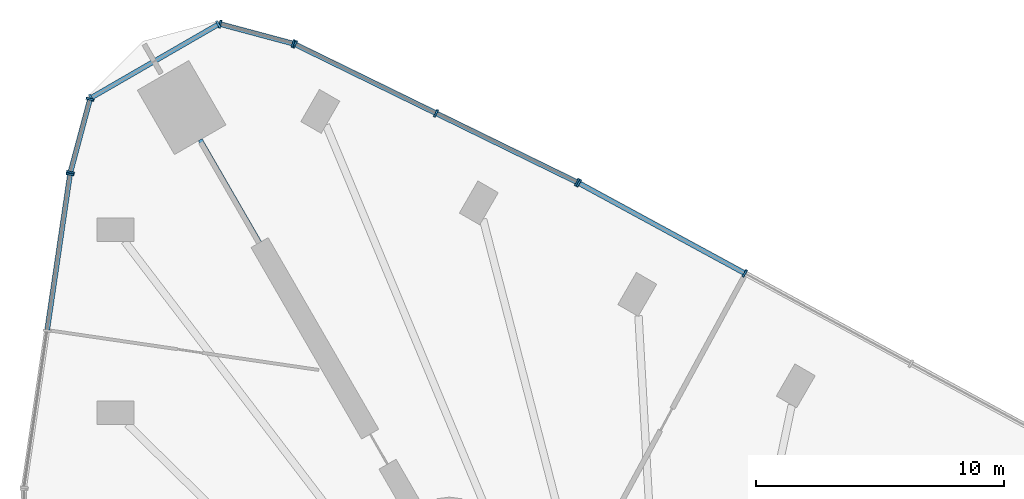
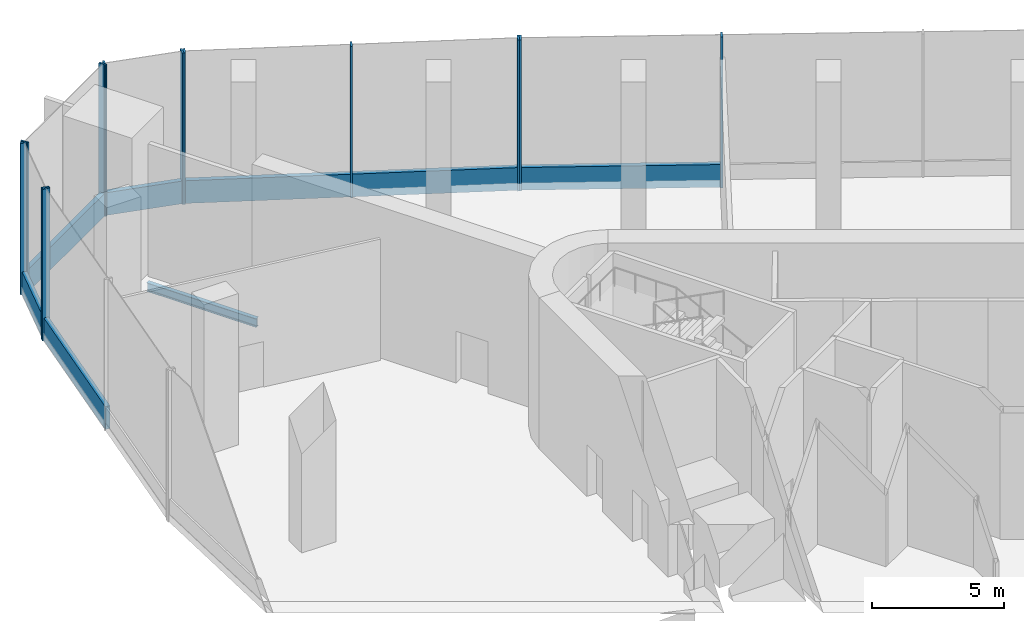
# One storey, part 6 of 15: 19 members, 1 beam, 6 elements without a shape of their own.
"""IFC4 building model written with IfcOpenShell, lengths in metres."""

from ifc_helpers import new_model, si_unit, direction, frame, origin, origin_2d, place, context, subcontext, project, spatial, rectangle, i_section, extrude, material, material_profile, profile_set, type_object, element, aggregate, save


model = new_model("IFC4")

# Units and contexts
model_context = context("Model", 3, precision=1e-05, world=origin(), true_north=direction((0.0, 1.0)))
body_context = subcontext(model_context, "Body", "Model", "MODEL_VIEW")
ifc_project = project(units=[si_unit("LENGTHUNIT", "METRE"), si_unit("AREAUNIT", "SQUARE_METRE"), si_unit("VOLUMEUNIT", "CUBIC_METRE"), si_unit("PLANEANGLEUNIT", "RADIAN"), si_unit("MASSUNIT", "GRAM", prefix="KILO")], contexts=[model_context])

# Site, building, storey
site_placement = place(None, origin())
site = spatial("IfcSite", under=ifc_project, at=site_placement, CompositionType="ELEMENT")
building_placement = place(site_placement, origin())
building = spatial("IfcBuilding", under=site, at=building_placement, Name="Tanit Gate Tower", CompositionType="ELEMENT")
storey_placement = place(building_placement, frame((0.0, 0.0, 156.199951171875)))
storey = spatial("IfcBuildingStorey", under=building, at=storey_placement, Name="L34", CompositionType="ELEMENT", Elevation=156.199951171875)

# Curtain wall, members
ifc_material_1 = material(Name="Aluminium bronze anodised and glass", Category="aluminium")
curtain_wall_type = type_object("IfcCurtainWallType", Name="Curtain wall sky lobby", PredefinedType="NOTDEFINED", material=ifc_material_1)
curtain_wall_1_placement = place(storey_placement, origin())
curtain_wall_1 = element("IfcCurtainWall", 1, at=curtain_wall_1_placement, inside=storey, type_object=curtain_wall_type, Name="Curtain wall L34 NE2", PredefinedType="NOTDEFINED")
ifc_material_2 = material(Name="Aluminium bronze anodised", Category="aluminium")
ifc_material_profile_1 = material_profile(ifc_material_2, rectangle(XDim=0.320068359375, YDim=0.080078125, at=origin_2d()), Name="80x320 bronze mullion")
ifc_profile_set_1 = profile_set([ifc_material_profile_1], Name="Aluminium bronze anodised")
member_type_1 = type_object("IfcMemberType", Name="Mullion 80x320 sky lobby", PredefinedType="MULLION", material=ifc_profile_set_1)
member_1_placement = place(storey_placement, frame((2.833984375, 27.7978515625, -0.349853515625), z_axis=(0.0, 0.0, 1.0), x_axis=(-0.477381131015, -0.87869633876, 0.0)))
member_1 = element("IfcMember", 2, at=member_1_placement, type_object=member_type_1, Name="Mullion L34 NE2.5", PredefinedType="MULLION", context=body_context, shape_type="SweptSolid", body=[
    extrude(rectangle(XDim=0.320068359375, YDim=0.080078125, at=origin_2d()), origin(), (0.0, 0.0, 1.0), 7.0),
])
member_2_placement = place(storey_placement, frame((-3.8720703125, 31.441162109375, -0.349853515625), z_axis=(0.0, 0.0, 1.0), x_axis=(-0.477381131015, -0.87869633876, 0.0)))
member_2 = element("IfcMember", 3, at=member_2_placement, type_object=member_type_1, Name="Mullion L34 NE2.6", PredefinedType="MULLION", context=body_context, shape_type="SweptSolid", body=[
    extrude(rectangle(XDim=0.320068359375, YDim=0.080078125, at=origin_2d()), origin(), (0.0, 0.0, 1.0), 7.0),
])

curtain_wall_2_placement = place(storey_placement, origin())
curtain_wall_2 = element("IfcCurtainWall", 4, at=curtain_wall_2_placement, inside=storey, type_object=curtain_wall_type, Name="Curtain wall L34 NE3", PredefinedType="NOTDEFINED")
member_3_placement = place(storey_placement, frame((-3.943115234375, 31.477783203125, -0.349853515625), z_axis=(0.0, 0.0, 1.0), x_axis=(-0.439222108006, -0.898378505886, 0.0)))
member_3 = element("IfcMember", 5, at=member_3_placement, type_object=member_type_1, Name="Mullion L34 NE3.1", PredefinedType="MULLION", context=body_context, shape_type="SweptSolid", body=[
    extrude(rectangle(XDim=0.320068359375, YDim=0.080078125, at=origin_2d()), origin(), (0.0, 0.0, 1.0), 7.0),
])
member_4_placement = place(storey_placement, frame((-9.639892578125, 34.262939453125, -0.349853515625), z_axis=(0.0, 0.0, 1.0), x_axis=(-0.439222108006, -0.898378505886, 0.0)))
member_4 = element("IfcMember", 6, at=member_4_placement, type_object=member_type_1, Name="Mullion L34 NE3.2", PredefinedType="MULLION", context=body_context, shape_type="SweptSolid", body=[
    extrude(rectangle(XDim=0.320068359375, YDim=0.080078125, at=origin_2d()), origin(), (0.0, 0.0, 1.0), 7.0),
])
member_5_placement = place(storey_placement, frame((-15.336669921875, 37.048095703125, -0.349853515625), z_axis=(0.0, 0.0, 1.0), x_axis=(-0.439222108006, -0.898378505886, 0.0)))
member_5 = element("IfcMember", 7, at=member_5_placement, type_object=member_type_1, Name="Mullion L34 NE3.3", PredefinedType="MULLION", context=body_context, shape_type="SweptSolid", body=[
    extrude(rectangle(XDim=0.320068359375, YDim=0.080078125, at=origin_2d()), origin(), (0.0, 0.0, 1.0), 7.0),
])

curtain_wall_3_placement = place(storey_placement, origin())
curtain_wall_3 = element("IfcCurtainWall", 8, at=curtain_wall_3_placement, inside=storey, type_object=curtain_wall_type, Name="Curtain wall L34 NW.arc1", PredefinedType="NOTDEFINED")
member_6_placement = place(storey_placement, frame((-15.411376953125, 37.076171875, -0.349853515625), z_axis=(0.0, 0.0, 1.0), x_axis=(-0.258819045103, -0.965925826289, 0.0)))
member_6 = element("IfcMember", 9, at=member_6_placement, type_object=member_type_1, Name="Mullion L34 NW.arc1.1", PredefinedType="MULLION", context=body_context, shape_type="SweptSolid", body=[
    extrude(rectangle(XDim=0.320068359375, YDim=0.080078125, at=origin_2d()), origin(), (0.0, 0.0, 1.0), 7.0),
])
member_7_placement = place(storey_placement, frame((-18.359130859375, 37.865966796875, -0.349853515625), z_axis=(0.0, 0.0, 1.0), x_axis=(-0.258819045103, -0.965925826289, 0.0)))
member_7 = element("IfcMember", 10, at=member_7_placement, type_object=member_type_1, Name="Mullion L34 NW.arc1.2", PredefinedType="MULLION", context=body_context, shape_type="SweptSolid", body=[
    extrude(rectangle(XDim=0.320068359375, YDim=0.080078125, at=origin_2d()), origin(), (0.0, 0.0, 1.0), 7.0),
])

curtain_wall_4_placement = place(storey_placement, origin())
curtain_wall_4 = element("IfcCurtainWall", 11, at=curtain_wall_4_placement, inside=storey, type_object=curtain_wall_type, Name="Curtain wall L34 NW.arc2", PredefinedType="NOTDEFINED")
member_8_placement = place(storey_placement, frame((-18.432373046875, 37.856201171875, -0.349853515625), z_axis=(0.0, 0.0, 1.0), x_axis=(0.5, -0.866025403784, 0.0)))
member_8 = element("IfcMember", 12, at=member_8_placement, type_object=member_type_1, Name="Mullion L34 NW.arc2.1", PredefinedType="MULLION", context=body_context, shape_type="SweptSolid", body=[
    extrude(rectangle(XDim=0.320068359375, YDim=0.080078125, at=origin_2d()), origin(), (0.0, 0.0, 1.0), 7.0),
])
member_9_placement = place(storey_placement, frame((-23.568359375, 34.89111328125, -0.349853515625), z_axis=(0.0, 0.0, 1.0), x_axis=(0.5, -0.866025403784, 0.0)))
member_9 = element("IfcMember", 13, at=member_9_placement, type_object=member_type_1, Name="Mullion L34 NW.arc2.2", PredefinedType="MULLION", context=body_context, shape_type="SweptSolid", body=[
    extrude(rectangle(XDim=0.320068359375, YDim=0.080078125, at=origin_2d()), origin(), (0.0, 0.0, 1.0), 7.0),
])

curtain_wall_5_placement = place(storey_placement, origin())
curtain_wall_5 = element("IfcCurtainWall", 14, at=curtain_wall_5_placement, inside=storey, type_object=curtain_wall_type, Name="Curtain wall L34 NW.arc3", PredefinedType="NOTDEFINED")
member_10_placement = place(storey_placement, frame((-23.61328125, 34.832275390625, -0.349853515625), z_axis=(0.0, 0.0, 1.0), x_axis=(0.965925826289, -0.258819045103, 0.0)))
member_10 = element("IfcMember", 15, at=member_10_placement, type_object=member_type_1, Name="Mullion L34 NW.arc3.1", PredefinedType="MULLION", context=body_context, shape_type="SweptSolid", body=[
    extrude(rectangle(XDim=0.320068359375, YDim=0.080078125, at=origin_2d()), origin(), (0.0, 0.0, 1.0), 7.0),
])
member_11_placement = place(storey_placement, frame((-24.404296875, 31.880126953125, -0.349853515625), z_axis=(0.0, 0.0, 1.0), x_axis=(0.965925826289, -0.258819045103, 0.0)))
member_11 = element("IfcMember", 16, at=member_11_placement, type_object=member_type_1, Name="Mullion L34 NW.arc3.2", PredefinedType="MULLION", context=body_context, shape_type="SweptSolid", body=[
    extrude(rectangle(XDim=0.320068359375, YDim=0.080078125, at=origin_2d()), origin(), (0.0, 0.0, 1.0), 7.0),
])

# Curtain wall, member
curtain_wall_6_placement = place(storey_placement, origin())
curtain_wall_6 = element("IfcCurtainWall", 17, at=curtain_wall_6_placement, inside=storey, type_object=curtain_wall_type, Name="Curtain wall L34 W1", PredefinedType="NOTDEFINED")
member_12_placement = place(storey_placement, frame((-24.42041015625, 31.802001953125, -0.349853515625), z_axis=(0.0, 0.0, 1.0), x_axis=(0.989399755479, -0.145217505343, 0.0)))
member_12 = element("IfcMember", 18, at=member_12_placement, type_object=member_type_1, Name="Mullion L34 W1.1", PredefinedType="MULLION", context=body_context, shape_type="SweptSolid", body=[
    extrude(rectangle(XDim=0.320068359375, YDim=0.080078125, at=origin_2d()), origin(), (0.0, 0.0, 1.0), 7.0),
])

# Beam
ifc_material_3 = material(Name="Steel S355", Category="steel")
ifc_material_profile_2 = material_profile(ifc_material_3, i_section(OverallWidth=0.179931640625, OverallDepth=0.39990234375, WebThickness=0.008544921875, FlangeThickness=0.013427734375, FilletRadius=0.02099609375, at=origin_2d()), Name="IPE 400")
ifc_profile_set_2 = profile_set([ifc_material_profile_2], Name="Steel S355")
beam_type = type_object("IfcBeamType", Name="RADIAL GIRDER IPE 400 S355", PredefinedType="BEAM", material=ifc_profile_set_2)
beam_placement = place(storey_placement, frame((-19.1650390625, 33.19482421875, -0.550048828125), z_axis=(0.499998569178, -0.866026229868, 0.0), x_axis=(0.866026229868, 0.499998569178, 0.0)))
element("IfcBeam", 19, at=beam_placement, inside=storey, type_object=beam_type, Name="RADIAL GIRDER", PredefinedType="BEAM", context=body_context, shape_type="SweptSolid", body=[
    extrude(i_section(OverallWidth=0.179931640625, OverallDepth=0.39990234375, WebThickness=0.008544921875, FlangeThickness=0.013427734375, FilletRadius=0.02099609375, at=origin_2d()), origin(), (0.0, 0.0, 1.0), 4.79638671875),
])

# Member
ifc_material_4 = material(Name="Aluminium bronze anodised", Category="aluminium")
ifc_material_profile_3 = material_profile(ifc_material_4, rectangle(XDim=0.199951171875, YDim=1.050048828125, at=origin_2d()), Name="200x1050 bronze transom")
ifc_profile_set_3 = profile_set([ifc_material_profile_3], Name="Aluminium bronze anodised")
member_type_2 = type_object("IfcMemberType", Name="Transom 200x1050 sky lobby", PredefinedType="USERDEFINED", material=ifc_profile_set_3)
member_13_placement = place(storey_placement, frame((2.798828125, 27.81689453125, 0.175048828125), z_axis=(-0.878702342272, 0.477370080426, 0.0), x_axis=(-0.477370080426, -0.878702342272, 0.0)))
member_13 = element("IfcMember", 20, at=member_13_placement, type_object=member_type_2, Name="Transom L34 NE2.5", ObjectType="TRANSOM", PredefinedType="USERDEFINED", context=body_context, shape_type="SweptSolid", body=[
    extrude(rectangle(XDim=0.199951171875, YDim=1.050048828125, at=origin_2d()), origin(), (0.0, 0.0, 1.0), 7.5517578125),
])

aggregate(curtain_wall_1, [member_1, member_2, member_13])

member_14_placement = place(storey_placement, frame((-3.97900390625, 31.495361328125, 0.175048828125), z_axis=(-0.898384360919, 0.439210132005, 0.0), x_axis=(-0.439210132005, -0.898384360919, 0.0)))
member_14 = element("IfcMember", 21, at=member_14_placement, type_object=member_type_2, Name="Transom L34 NE3.1", ObjectType="TRANSOM", PredefinedType="USERDEFINED", context=body_context, shape_type="SweptSolid", body=[
    extrude(rectangle(XDim=0.199951171875, YDim=1.050048828125, at=origin_2d()), origin(), (0.0, 0.0, 1.0), 6.26123046875),
])

member_15_placement = place(storey_placement, frame((-9.67578125, 34.280517578125, 0.175048828125), z_axis=(-0.898384360919, 0.439210132005, 0.0), x_axis=(-0.439210132005, -0.898384360919, 0.0)))
member_15 = element("IfcMember", 22, at=member_15_placement, type_object=member_type_2, Name="Transom L34 NE3.2", ObjectType="TRANSOM", PredefinedType="USERDEFINED", context=body_context, shape_type="SweptSolid", body=[
    extrude(rectangle(XDim=0.199951171875, YDim=1.050048828125, at=origin_2d()), origin(), (0.0, 0.0, 1.0), 6.26123046875),
])

aggregate(curtain_wall_2, [member_3, member_4, member_5, member_14, member_15])

member_16_placement = place(storey_placement, frame((-15.449951171875, 37.08642578125, 0.175048828125), z_axis=(-0.965937051474, 0.258777148507, 0.0), x_axis=(-0.258777148507, -0.965937051474, 0.0)))
member_16 = element("IfcMember", 23, at=member_16_placement, type_object=member_type_2, Name="Transom L34 NW.arc1.1", ObjectType="TRANSOM", PredefinedType="USERDEFINED", context=body_context, shape_type="SweptSolid", body=[
    extrude(rectangle(XDim=0.199951171875, YDim=1.050048828125, at=origin_2d()), origin(), (0.0, 0.0, 1.0), 2.971923828125),
])

aggregate(curtain_wall_3, [member_6, member_7, member_16])

member_17_placement = place(storey_placement, frame((-18.467041015625, 37.836181640625, 0.175048828125), z_axis=(-0.866038958402, -0.499976521978, 0.0), x_axis=(0.499976521978, -0.866038958402, 0.0)))
member_17 = element("IfcMember", 24, at=member_17_placement, type_object=member_type_2, Name="Transom L34 NW.arc2.1", ObjectType="TRANSOM", PredefinedType="USERDEFINED", context=body_context, shape_type="SweptSolid", body=[
    extrude(rectangle(XDim=0.199951171875, YDim=1.050048828125, at=origin_2d()), origin(), (0.0, 0.0, 1.0), 5.850341796875),
])

aggregate(curtain_wall_4, [member_8, member_9, member_17])

member_18_placement = place(storey_placement, frame((-23.623779296875, 34.793701171875, 0.175048828125), z_axis=(-0.25879075227, -0.965933406887, 0.0), x_axis=(0.965933406887, -0.25879075227, 0.0)))
member_18 = element("IfcMember", 25, at=member_18_placement, type_object=member_type_2, Name="Transom L34 NW.arc3.1", ObjectType="TRANSOM", PredefinedType="USERDEFINED", context=body_context, shape_type="SweptSolid", body=[
    extrude(rectangle(XDim=0.199951171875, YDim=1.050048828125, at=origin_2d()), origin(), (0.0, 0.0, 1.0), 2.976318359375),
])

aggregate(curtain_wall_5, [member_10, member_11, member_18])

member_19_placement = place(storey_placement, frame((-24.42626953125, 31.76220703125, 0.175048828125), z_axis=(-0.145221203289, -0.989399212712, 0.0), x_axis=(0.989399212712, -0.145221203289, 0.0)))
member_19 = element("IfcMember", 26, at=member_19_placement, type_object=member_type_2, Name="Transom L34 W1.1", ObjectType="TRANSOM", PredefinedType="USERDEFINED", context=body_context, shape_type="SweptSolid", body=[
    extrude(rectangle(XDim=0.199951171875, YDim=1.050048828125, at=origin_2d()), origin(), (0.0, 0.0, 1.0), 6.312744140625),
])

aggregate(curtain_wall_6, [member_12, member_19])

save(model, "model.ifc")
